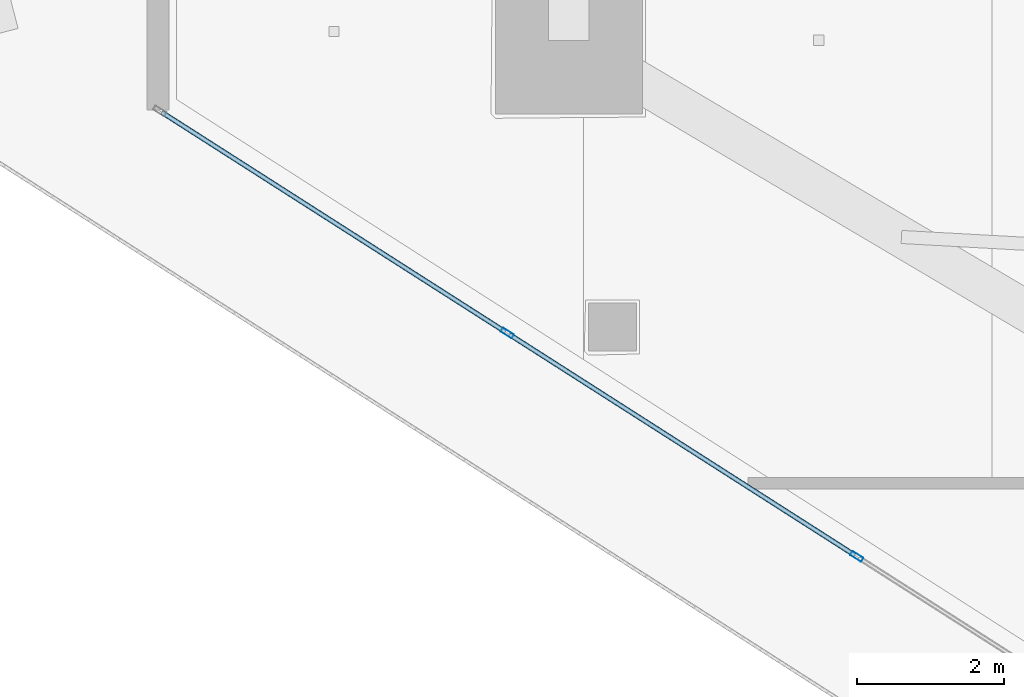
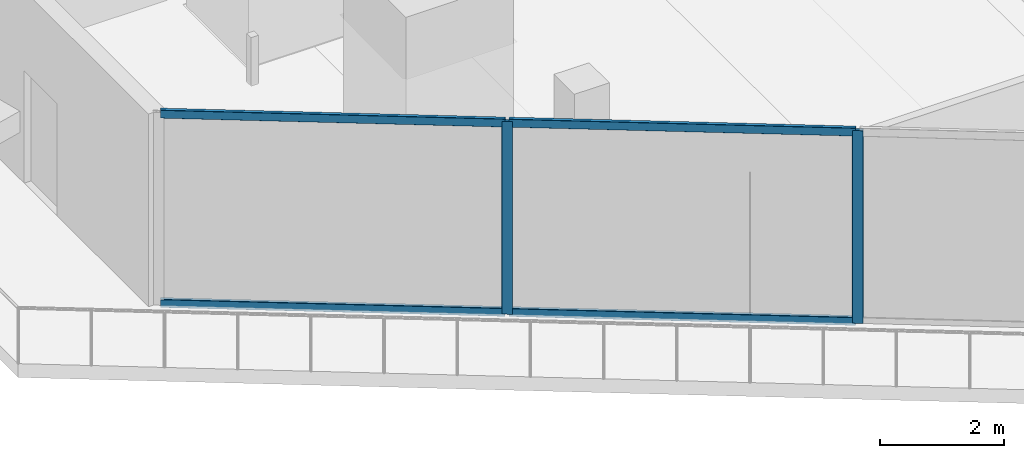
# One storey, part 5 of 37: 6 members, 1 element without a shape of its own.
"""IFC4 building model written with IfcOpenShell, lengths in metres."""

from ifc_helpers import new_model, si_unit, direction, frame, origin, origin_2d, place, context, subcontext, project, spatial, hollow_rectangle, extrude, material, layer, layer_set, material_profile, profile_set, type_object, element, aggregate, save


model = new_model("IFC4")

# Units and contexts
model_context = context("Model", 3, precision=1e-05, world=origin(), true_north=direction((0.0, 1.0)))
body_context = subcontext(model_context, "Body", "Model", "MODEL_VIEW")
ifc_project = project(units=[si_unit("LENGTHUNIT", "METRE"), si_unit("AREAUNIT", "SQUARE_METRE"), si_unit("VOLUMEUNIT", "CUBIC_METRE"), si_unit("PLANEANGLEUNIT", "RADIAN"), si_unit("MASSUNIT", "GRAM", prefix="KILO")], contexts=[model_context])

# Site, building, storey
site_placement = place(None, origin())
site = spatial("IfcSite", under=ifc_project, at=site_placement, CompositionType="ELEMENT")
building_placement = place(site_placement, origin())
building = spatial("IfcBuilding", under=site, at=building_placement, Name="Qorvath Tower", CompositionType="ELEMENT")
storey_placement = place(building_placement, frame((0.0, 0.0, 196.949951171875)))
storey = spatial("IfcBuildingStorey", under=building, at=storey_placement, Name="L45", CompositionType="ELEMENT", Elevation=196.949951171875)

# Curtain wall, members
ifc_material_1 = material(Name="Anodised aluminium and triple low-E glass", Category="aluminium")
ifc_layer = layer(ifc_material_1, 0.179931640625)
ifc_layer_set = layer_set([ifc_layer], Name="CW-SYS-3")
curtain_wall_type = type_object("IfcCurtainWallType", Name="CW-SYS-3", PredefinedType="NOTDEFINED", material=ifc_layer_set)
curtain_wall_placement = place(storey_placement, origin())
curtain_wall = element("IfcCurtainWall", 1, at=curtain_wall_placement, inside=storey, type_object=curtain_wall_type, Name="Curtain Wall CW-3 CW-T-L45-2.1", PredefinedType="NOTDEFINED")
ifc_material_2 = material(Name="Anodised aluminium 6063-T6", Category="aluminium")
ifc_material_profile_1 = material_profile(ifc_material_2, hollow_rectangle(XDim=0.06494140625, YDim=0.179931640625, WallThickness=0.00341796875, InnerFilletRadius=0.00341796875, OuterFilletRadius=0.007080078125, at=origin_2d()), Name="CWM 180x65")
ifc_profile_set_1 = profile_set([ifc_material_profile_1], Name="Anodised aluminium 6063-T6")
member_type_1 = type_object("IfcMemberType", Name="CWM-180", PredefinedType="MULLION", material=ifc_profile_set_1)
member_1_placement = place(storey_placement, frame((-50.01025390625, -6.5087890625, 0.0), z_axis=(0.0, 0.0, 1.0), x_axis=(0.538533623725, 0.842604020948, 0.0)))
member_1 = element("IfcMember", 2, at=member_1_placement, type_object=member_type_1, Name="CW-3 mullion 2", PredefinedType="MULLION", context=body_context, shape_type="SweptSolid", body=[
    extrude(hollow_rectangle(XDim=0.06494140625, YDim=0.179931640625, WallThickness=0.00341796875, InnerFilletRadius=0.00341796875, OuterFilletRadius=0.007080078125, at=origin_2d()), origin(), (0.0, 0.0, 1.0), 3.780029296875),
])
member_2_placement = place(storey_placement, frame((-45.2578125, -9.54638671875, 0.0), z_axis=(0.0, 0.0, 1.0), x_axis=(0.538533623725, 0.842604020948, 0.0)))
member_2 = element("IfcMember", 3, at=member_2_placement, type_object=member_type_1, Name="CW-3 mullion 3", PredefinedType="MULLION", context=body_context, shape_type="SweptSolid", body=[
    extrude(hollow_rectangle(XDim=0.06494140625, YDim=0.179931640625, WallThickness=0.00341796875, InnerFilletRadius=0.00341796875, OuterFilletRadius=0.007080078125, at=origin_2d()), origin(), (0.0, 0.0, 1.0), 3.780029296875),
])
ifc_material_3 = material(Name="Anodised aluminium 6063-T6", Category="aluminium")
ifc_material_profile_2 = material_profile(ifc_material_3, hollow_rectangle(XDim=0.06494140625, YDim=0.159912109375, WallThickness=0.00341796875, InnerFilletRadius=0.00341796875, OuterFilletRadius=0.007080078125, at=origin_2d()), Name="CWT 160x65")
ifc_profile_set_2 = profile_set([ifc_material_profile_2], Name="Anodised aluminium 6063-T6")
member_type_2 = type_object("IfcMemberType", Name="CWT-160", PredefinedType="USERDEFINED", material=ifc_profile_set_2)
member_3_placement = place(storey_placement, frame((-54.7080078125, -3.50634765625, 0.032470703125), z_axis=(0.842595217297, -0.538547397903, 0.0), x_axis=(0.538547397903, 0.842595217297, 0.0)))
member_3 = element("IfcMember", 4, at=member_3_placement, type_object=member_type_2, Name="CW-3 transom 1.1", ObjectType="TRANSOM", PredefinedType="USERDEFINED", context=body_context, shape_type="SweptSolid", body=[
    extrude(hollow_rectangle(XDim=0.06494140625, YDim=0.159912109375, WallThickness=0.00341796875, InnerFilletRadius=0.00341796875, OuterFilletRadius=0.007080078125, at=origin_2d()), origin(), (0.0, 0.0, 1.0), 5.54296875),
])
member_4_placement = place(storey_placement, frame((-54.7080078125, -3.50634765625, 3.74755859375), z_axis=(0.842595217297, -0.538547397903, 0.0), x_axis=(0.538547397903, 0.842595217297, 0.0)))
member_4 = element("IfcMember", 5, at=member_4_placement, type_object=member_type_2, Name="CW-3 transom 1.2", ObjectType="TRANSOM", PredefinedType="USERDEFINED", context=body_context, shape_type="SweptSolid", body=[
    extrude(hollow_rectangle(XDim=0.06494140625, YDim=0.159912109375, WallThickness=0.00341796875, InnerFilletRadius=0.00341796875, OuterFilletRadius=0.007080078125, at=origin_2d()), origin(), (0.0, 0.0, 1.0), 5.54296875),
])
member_5_placement = place(storey_placement, frame((-49.98291015625, -6.5263671875, 0.032470703125), z_axis=(0.842606844645, -0.538529205667, 0.0), x_axis=(0.538529205667, 0.842606844645, 0.0)))
member_5 = element("IfcMember", 6, at=member_5_placement, type_object=member_type_2, Name="CW-3 transom 2.1", ObjectType="TRANSOM", PredefinedType="USERDEFINED", context=body_context, shape_type="SweptSolid", body=[
    extrude(hollow_rectangle(XDim=0.06494140625, YDim=0.159912109375, WallThickness=0.00341796875, InnerFilletRadius=0.00341796875, OuterFilletRadius=0.007080078125, at=origin_2d()), origin(), (0.0, 0.0, 1.0), 5.5751953125),
])
member_6_placement = place(storey_placement, frame((-49.98291015625, -6.5263671875, 3.74755859375), z_axis=(0.842606844645, -0.538529205667, 0.0), x_axis=(0.538529205667, 0.842606844645, 0.0)))
member_6 = element("IfcMember", 7, at=member_6_placement, type_object=member_type_2, Name="CW-3 transom 2.2", ObjectType="TRANSOM", PredefinedType="USERDEFINED", context=body_context, shape_type="SweptSolid", body=[
    extrude(hollow_rectangle(XDim=0.06494140625, YDim=0.159912109375, WallThickness=0.00341796875, InnerFilletRadius=0.00341796875, OuterFilletRadius=0.007080078125, at=origin_2d()), origin(), (0.0, 0.0, 1.0), 5.5751953125),
])
aggregate(curtain_wall, [member_1, member_2, member_3, member_4, member_5, member_6])

save(model, "model.ifc")
